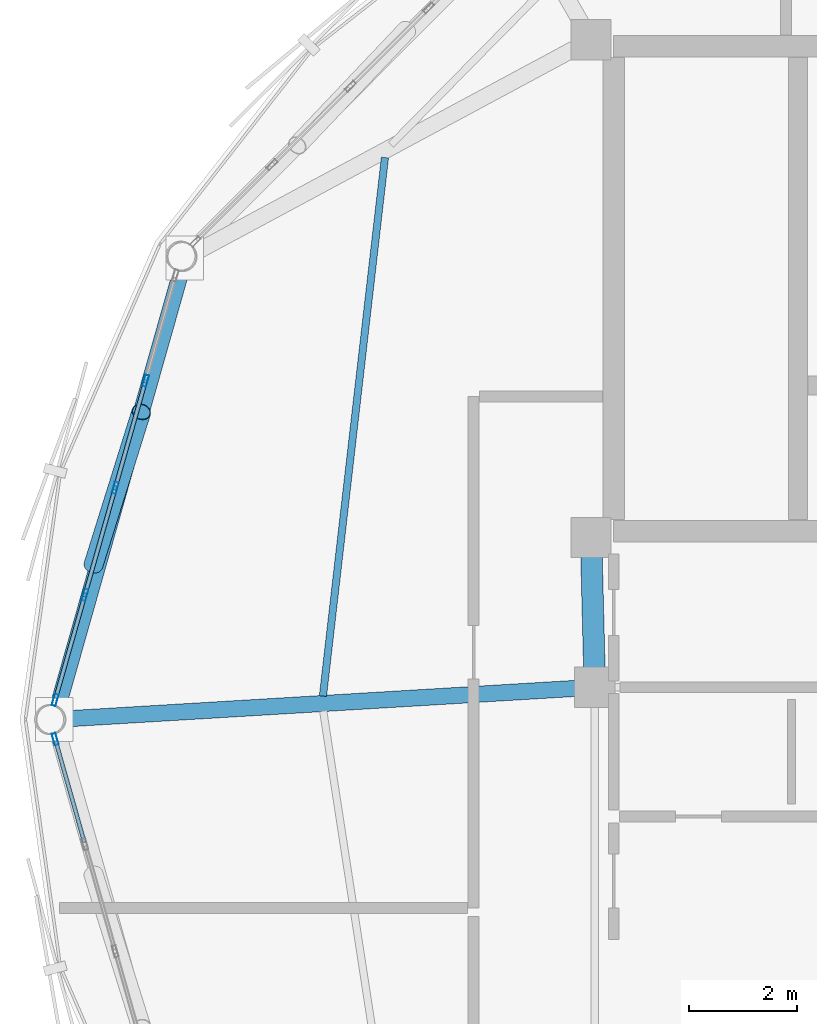
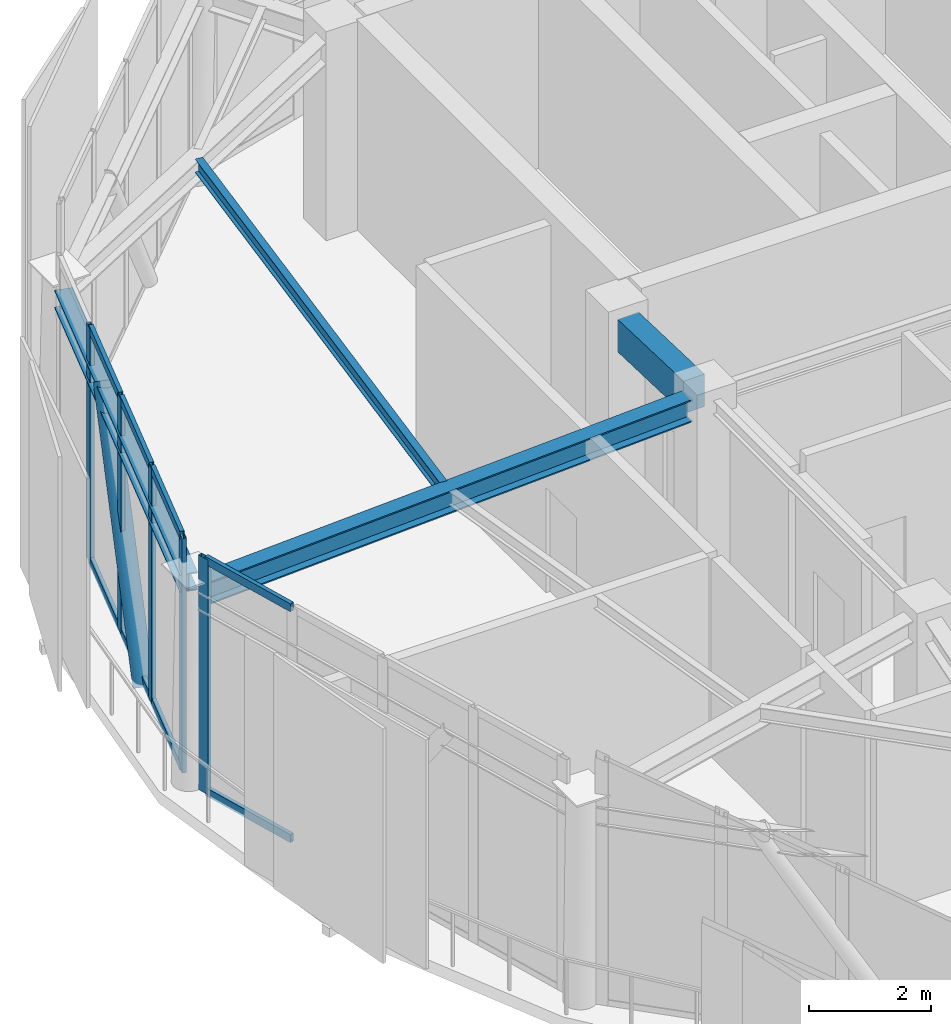
# One storey, part 7 of 20: 14 members, 4 beams, 2 elements without a shape of their own.
"""IFC4 building model written with IfcOpenShell, lengths in metres."""

from ifc_helpers import new_model, si_unit, direction, frame, origin, origin_2d, place, context, subcontext, project, spatial, rectangle, hollow_rectangle, hollow_circle, i_section, extrude, material, layer, layer_set, material_profile, profile_set, type_object, element, aggregate, save


model = new_model("IFC4")

# Units and contexts
model_context = context("Model", 3, precision=1e-05, world=origin(), true_north=direction((0.0, 1.0)))
body_context = subcontext(model_context, "Body", "Model", "MODEL_VIEW")
ifc_project = project(units=[si_unit("LENGTHUNIT", "METRE"), si_unit("AREAUNIT", "SQUARE_METRE"), si_unit("VOLUMEUNIT", "CUBIC_METRE"), si_unit("PLANEANGLEUNIT", "RADIAN"), si_unit("MASSUNIT", "GRAM", prefix="KILO")], contexts=[model_context])

# Site, building, storey
site_placement = place(None, origin())
site = spatial("IfcSite", under=ifc_project, at=site_placement, CompositionType="ELEMENT")
building_placement = place(site_placement, origin())
building = spatial("IfcBuilding", under=site, at=building_placement, Name="Varnakorn Sky Granary", CompositionType="ELEMENT")
storey_placement = place(building_placement, frame((0.0, 0.0, 310.800048828125)))
storey = spatial("IfcBuildingStorey", under=building, at=storey_placement, Name="L79", CompositionType="ELEMENT", Elevation=310.800048828125)

# Beams
ifc_material_1 = material(Name="Concrete C50/60", Category="concrete")
ifc_material_profile_1 = material_profile(ifc_material_1, rectangle(XDim=0.39990234375, YDim=0.64990234375, at=origin_2d()), Name="RC 400x650")
ifc_profile_set_1 = profile_set([ifc_material_profile_1], Name="Concrete C50/60")
beam_type_1 = type_object("IfcBeamType", Name="BM-LIN-650", PredefinedType="LINTEL", material=ifc_profile_set_1)
beam_1_placement = place(storey_placement, frame((-2.4111328125, 3.025146484375, 3.635009765625), z_axis=(0.025227817192, -0.999681727971, 0.0), x_axis=(0.999681727971, 0.025227817192, 0.0)))
element("IfcBeam", 1, at=beam_1_placement, inside=storey, type_object=beam_type_1, Name="Core Spine Framing Beam 1 L79", PredefinedType="LINTEL", context=body_context, shape_type="SweptSolid", body=[
    extrude(rectangle(XDim=0.39990234375, YDim=0.64990234375, at=origin_2d()), origin(), (0.0, 0.0, 1.0), 2.071044921875),
])
ifc_material_2 = material(Name="Steel S355JR", Category="steel")
ifc_material_profile_2 = material_profile(ifc_material_2, i_section(OverallWidth=0.300048828125, OverallDepth=0.449951171875, WebThickness=0.013916015625, FlangeThickness=0.02587890625, at=origin_2d()), Name="HE 450 B")
ifc_profile_set_2 = profile_set([ifc_material_profile_2], Name="Steel S355JR")
beam_type_2 = type_object("IfcBeamType", Name="BM-RAD-Z5", PredefinedType="BEAM", material=ifc_profile_set_2)
beam_2_placement = place(storey_placement, frame((-2.704345703125, 0.578857421875, 3.73486328125), z_axis=(-0.998217971503, -0.059673120992, 0.0), x_axis=(0.059673120992, -0.998217971503, 0.0)))
element("IfcBeam", 2, at=beam_2_placement, inside=storey, type_object=beam_type_2, Name="Radial Floor Girder RG07 L79", PredefinedType="BEAM", context=body_context, shape_type="SweptSolid", body=[
    extrude(i_section(OverallWidth=0.300048828125, OverallDepth=0.449951171875, WebThickness=0.013916015625, FlangeThickness=0.02587890625, at=origin_2d()), origin(), (0.0, 0.0, 1.0), 9.4345703125),
])
ifc_material_profile_3 = material_profile(ifc_material_2, i_section(OverallWidth=0.135009765625, OverallDepth=0.27001953125, WebThickness=0.006591796875, FlangeThickness=0.01025390625, at=origin_2d()), Name="IPE 270")
ifc_profile_set_3 = profile_set([ifc_material_profile_3], Name="Steel S355JR")
beam_type_3 = type_object("IfcBeamType", Name="BM-SEC-Z5", PredefinedType="BEAM", material=ifc_profile_set_3)
beam_3_placement = place(storey_placement, frame((-6.245849609375, 10.43359375, 3.824951171875), z_axis=(-0.114411394216, -0.993433456691, 0.0), x_axis=(0.993433456691, -0.114411394216, 0.0)))
element("IfcBeam", 3, at=beam_3_placement, inside=storey, type_object=beam_type_3, Name="Secondary Floor Chord Beam MSB06 L79", PredefinedType="BEAM", context=body_context, shape_type="SweptSolid", body=[
    extrude(i_section(OverallWidth=0.135009765625, OverallDepth=0.27001953125, WebThickness=0.006591796875, FlangeThickness=0.01025390625, at=origin_2d()), origin(), (0.0, 0.0, 1.0), 10.0634765625),
])
ifc_material_profile_4 = material_profile(ifc_material_2, i_section(OverallWidth=0.300048828125, OverallDepth=0.360107421875, WebThickness=0.012451171875, FlangeThickness=0.0224609375, at=origin_2d()), Name="HE 360 B")
ifc_profile_set_4 = profile_set([ifc_material_profile_4], Name="Steel S355JR")
beam_type_4 = type_object("IfcBeamType", Name="BM-SPD-Z5", PredefinedType="SPANDREL", material=ifc_profile_set_4)
beam_4_placement = place(storey_placement, frame((-10.031982421875, 8.3134765625, 3.780029296875), z_axis=(-0.272445174788, -0.962171308414, 0.0), x_axis=(0.962171308414, -0.272445174788, 0.0)))
element("IfcBeam", 4, at=beam_4_placement, inside=storey, type_object=beam_type_4, Name="Perimeter Spandrel Ring Beam RB06 L79", PredefinedType="SPANDREL", context=body_context, shape_type="SweptSolid", body=[
    extrude(i_section(OverallWidth=0.300048828125, OverallDepth=0.360107421875, WebThickness=0.012451171875, FlangeThickness=0.0224609375, at=origin_2d()), origin(), (0.0, 0.0, 1.0), 8.3759765625),
])

# Curtain wall, members
ifc_material_3 = material(Name="Anodised Bronze Aluminium Alloy 6063-T6", Category="aluminium")
ifc_layer = layer(ifc_material_3, 0.22998046875, Name="Anodised Bronze Aluminium Alloy 6063-T6")
ifc_layer_set = layer_set([ifc_layer], Name="Anodised Bronze Aluminium Alloy 6063-T6")
curtain_wall_type = type_object("IfcCurtainWallType", Name="CW-LNT-1", PredefinedType="USERDEFINED", material=ifc_layer_set)
curtain_wall_1_placement = place(storey_placement, origin())
curtain_wall_1 = element("IfcCurtainWall", 5, at=curtain_wall_1_placement, inside=storey, type_object=curtain_wall_type, Name="Unitised Curtain Wall CW7 CW-L79-B06", ObjectType="CURTAIN WALL", PredefinedType="USERDEFINED")
ifc_material_profile_5 = material_profile(ifc_material_3, hollow_rectangle(XDim=0.074951171875, YDim=0.219970703125, WallThickness=0.00390625, at=origin_2d()), Name="ALU MULL 75x220")
ifc_profile_set_5 = profile_set([ifc_material_profile_5], Name="Anodised Bronze Aluminium Alloy 6063-T6")
member_type_1 = type_object("IfcMemberType", Name="CW-LNT-1-MULL", PredefinedType="MULLION", material=ifc_profile_set_5)
member_1_placement = place(storey_placement, frame((-12.3681640625, 0.36279296875, 0.0), z_axis=(0.0, 0.0, 1.0), x_axis=(-0.962133920047, 0.272577181537, 0.0)))
member_1 = element("IfcMember", 6, at=member_1_placement, type_object=member_type_1, Name="CW7 mullion 1", PredefinedType="MULLION", context=body_context, shape_type="SweptSolid", body=[
    extrude(hollow_rectangle(XDim=0.074951171875, YDim=0.219970703125, WallThickness=0.00390625, at=origin_2d()), origin(), (0.0, 0.0, 1.0), 4.688232421875),
])
member_2_placement = place(storey_placement, frame((-11.8154296875, 2.314208984375, 0.0), z_axis=(0.0, 0.0, 1.0), x_axis=(-0.962133920047, 0.272577181537, 0.0)))
member_2 = element("IfcMember", 7, at=member_2_placement, type_object=member_type_1, Name="CW7 mullion 2", PredefinedType="MULLION", context=body_context, shape_type="SweptSolid", body=[
    extrude(hollow_rectangle(XDim=0.074951171875, YDim=0.219970703125, WallThickness=0.00390625, at=origin_2d()), origin(), (0.0, 0.0, 1.0), 4.688232421875),
])
member_3_placement = place(storey_placement, frame((-11.252197265625, 4.302001953125, 0.0), z_axis=(0.0, 0.0, 1.0), x_axis=(-0.962133920047, 0.272577181537, 0.0)))
member_3 = element("IfcMember", 8, at=member_3_placement, type_object=member_type_1, Name="CW7 mullion 3", PredefinedType="MULLION", context=body_context, shape_type="SweptSolid", body=[
    extrude(hollow_rectangle(XDim=0.074951171875, YDim=0.219970703125, WallThickness=0.00390625, at=origin_2d()), origin(), (0.0, 0.0, 1.0), 4.688232421875),
])
member_4_placement = place(storey_placement, frame((-10.689208984375, 6.289794921875, 0.0), z_axis=(0.0, 0.0, 1.0), x_axis=(-0.962133920047, 0.272577181537, 0.0)))
member_4 = element("IfcMember", 9, at=member_4_placement, type_object=member_type_1, Name="CW7 mullion 4", PredefinedType="MULLION", context=body_context, shape_type="SweptSolid", body=[
    extrude(hollow_rectangle(XDim=0.074951171875, YDim=0.219970703125, WallThickness=0.00390625, at=origin_2d()), origin(), (0.0, 0.0, 1.0), 4.688232421875),
])

# Curtain wall, member
curtain_wall_2_placement = place(storey_placement, origin())
curtain_wall_2 = element("IfcCurtainWall", 10, at=curtain_wall_2_placement, inside=storey, type_object=curtain_wall_type, Name="Unitised Curtain Wall CW7 CW-L79-B07", ObjectType="CURTAIN WALL", PredefinedType="USERDEFINED")
member_5_placement = place(storey_placement, frame((-12.3681640625, -0.36279296875, 0.0), z_axis=(0.0, 0.0, 1.0), x_axis=(-0.962133920047, -0.272577181537, 0.0)))
member_5 = element("IfcMember", 11, at=member_5_placement, type_object=member_type_1, Name="CW7 mullion 5", PredefinedType="MULLION", context=body_context, shape_type="SweptSolid", body=[
    extrude(hollow_rectangle(XDim=0.074951171875, YDim=0.219970703125, WallThickness=0.00390625, at=origin_2d()), origin(), (0.0, 0.0, 1.0), 4.688232421875),
])

# Member
ifc_material_profile_6 = material_profile(ifc_material_3, hollow_rectangle(XDim=0.074951171875, YDim=0.159912109375, WallThickness=0.00390625, at=origin_2d()), Name="ALU TRAN 75x160")
ifc_profile_set_6 = profile_set([ifc_material_profile_6], Name="Anodised Bronze Aluminium Alloy 6063-T6")
member_type_2 = type_object("IfcMemberType", Name="CW-LNT-1-TRAN", PredefinedType="USERDEFINED", material=ifc_profile_set_6)
member_6_placement = place(storey_placement, frame((-12.358154296875, 0.398681640625, 0.037353515625), z_axis=(0.272558227155, 0.962139289713, 0.0), x_axis=(-0.962139289713, 0.272558227155, 0.0)))
member_6 = element("IfcMember", 12, at=member_6_placement, type_object=member_type_2, Name="CW7 transom 1.1", ObjectType="TRANSOM", PredefinedType="USERDEFINED", context=body_context, shape_type="SweptSolid", body=[
    extrude(hollow_rectangle(XDim=0.074951171875, YDim=0.159912109375, WallThickness=0.00390625, at=origin_2d()), origin(), (0.0, 0.0, 1.0), 1.95361328125),
])

member_7_placement = place(storey_placement, frame((-12.358154296875, 0.398681640625, 4.650634765625), z_axis=(0.272558227155, 0.962139289713, 0.0), x_axis=(-0.962139289713, 0.272558227155, 0.0)))
member_7 = element("IfcMember", 13, at=member_7_placement, type_object=member_type_2, Name="CW7 transom 1.2", ObjectType="TRANSOM", PredefinedType="USERDEFINED", context=body_context, shape_type="SweptSolid", body=[
    extrude(hollow_rectangle(XDim=0.074951171875, YDim=0.159912109375, WallThickness=0.00390625, at=origin_2d()), origin(), (0.0, 0.0, 1.0), 1.95361328125),
])

member_8_placement = place(storey_placement, frame((-11.80517578125, 2.350341796875, 0.037353515625), z_axis=(0.272598788657, 0.962127798384, 0.0), x_axis=(-0.962127798384, 0.272598788657, 0.0)))
member_8 = element("IfcMember", 14, at=member_8_placement, type_object=member_type_2, Name="CW7 transom 2.1", ObjectType="TRANSOM", PredefinedType="USERDEFINED", context=body_context, shape_type="SweptSolid", body=[
    extrude(hollow_rectangle(XDim=0.074951171875, YDim=0.159912109375, WallThickness=0.00390625, at=origin_2d()), origin(), (0.0, 0.0, 1.0), 1.990966796875),
])

member_9_placement = place(storey_placement, frame((-11.80517578125, 2.350341796875, 4.650634765625), z_axis=(0.272598788657, 0.962127798384, 0.0), x_axis=(-0.962127798384, 0.272598788657, 0.0)))
member_9 = element("IfcMember", 15, at=member_9_placement, type_object=member_type_2, Name="CW7 transom 2.2", ObjectType="TRANSOM", PredefinedType="USERDEFINED", context=body_context, shape_type="SweptSolid", body=[
    extrude(hollow_rectangle(XDim=0.074951171875, YDim=0.159912109375, WallThickness=0.00390625, at=origin_2d()), origin(), (0.0, 0.0, 1.0), 1.990966796875),
])

member_10_placement = place(storey_placement, frame((-11.241943359375, 4.338134765625, 0.037353515625), z_axis=(0.272485268821, 0.962159954621, 0.0), x_axis=(-0.962159954621, 0.272485268821, 0.0)))
member_10 = element("IfcMember", 16, at=member_10_placement, type_object=member_type_2, Name="CW7 transom 3.1", ObjectType="TRANSOM", PredefinedType="USERDEFINED", context=body_context, shape_type="SweptSolid", body=[
    extrude(hollow_rectangle(XDim=0.074951171875, YDim=0.159912109375, WallThickness=0.00390625, at=origin_2d()), origin(), (0.0, 0.0, 1.0), 1.990966796875),
])

member_11_placement = place(storey_placement, frame((-11.241943359375, 4.338134765625, 4.650634765625), z_axis=(0.272485268821, 0.962159954621, 0.0), x_axis=(-0.962159954621, 0.272485268821, 0.0)))
member_11 = element("IfcMember", 17, at=member_11_placement, type_object=member_type_2, Name="CW7 transom 3.2", ObjectType="TRANSOM", PredefinedType="USERDEFINED", context=body_context, shape_type="SweptSolid", body=[
    extrude(hollow_rectangle(XDim=0.074951171875, YDim=0.159912109375, WallThickness=0.00390625, at=origin_2d()), origin(), (0.0, 0.0, 1.0), 1.990966796875),
])

aggregate(curtain_wall_1, [member_1, member_2, member_3, member_4, member_6, member_7, member_8, member_9, member_10, member_11])

member_12_placement = place(storey_placement, frame((-11.82568359375, -2.2783203125, 0.037353515625), z_axis=(-0.272558227155, 0.962139289713, 0.0), x_axis=(-0.962139289713, -0.272558227155, 0.0)))
member_12 = element("IfcMember", 18, at=member_12_placement, type_object=member_type_2, Name="CW7 transom 4.1", ObjectType="TRANSOM", PredefinedType="USERDEFINED", context=body_context, shape_type="SweptSolid", body=[
    extrude(hollow_rectangle(XDim=0.074951171875, YDim=0.159912109375, WallThickness=0.00390625, at=origin_2d()), origin(), (0.0, 0.0, 1.0), 1.95361328125),
])

member_13_placement = place(storey_placement, frame((-11.82568359375, -2.2783203125, 4.650634765625), z_axis=(-0.272558227155, 0.962139289713, 0.0), x_axis=(-0.962139289713, -0.272558227155, 0.0)))
member_13 = element("IfcMember", 19, at=member_13_placement, type_object=member_type_2, Name="CW7 transom 4.2", ObjectType="TRANSOM", PredefinedType="USERDEFINED", context=body_context, shape_type="SweptSolid", body=[
    extrude(hollow_rectangle(XDim=0.074951171875, YDim=0.159912109375, WallThickness=0.00390625, at=origin_2d()), origin(), (0.0, 0.0, 1.0), 1.95361328125),
])

aggregate(curtain_wall_2, [member_5, member_12, member_13])

ifc_material_4 = material(Name="Steel S460M", Category="steel")
ifc_material_profile_7 = material_profile(ifc_material_4, hollow_circle(Radius=0.177734375, WallThickness=0.01416015625, at=origin_2d()), Name="CHS 355.6x14")
ifc_profile_set_7 = profile_set([ifc_material_profile_7], Name="Steel S460M")
member_type_3 = type_object("IfcMemberType", Name="MB-DIAG-T5", PredefinedType="BRACE", material=ifc_profile_set_7)
member_14_placement = place(storey_placement, frame((-11.658447265625, 2.867919921875, -0.130126953125), z_axis=(0.175849450935, 0.561994582699, 0.808232058027), x_axis=(-0.954370580389, 0.298624840374, 0.0)))
element("IfcMember", 20, at=member_14_placement, inside=storey, type_object=member_type_3, Name="Perimeter CHS Diagrid Brace DG06 L79", PredefinedType="BRACE", context=body_context, shape_type="SweptSolid", body=[
    extrude(hollow_circle(Radius=0.177734375, WallThickness=0.01416015625, at=origin_2d()), origin(), (0.0, 0.0, 1.0), 5.060546875),
])

save(model, "model.ifc")
